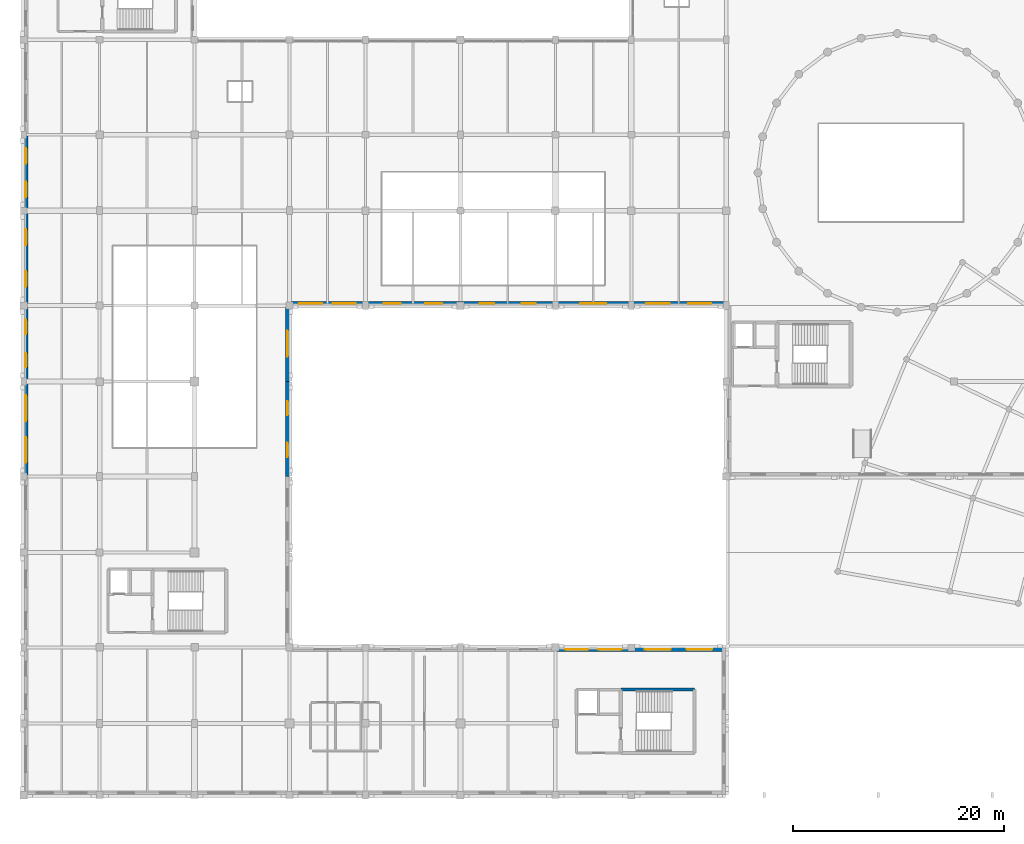
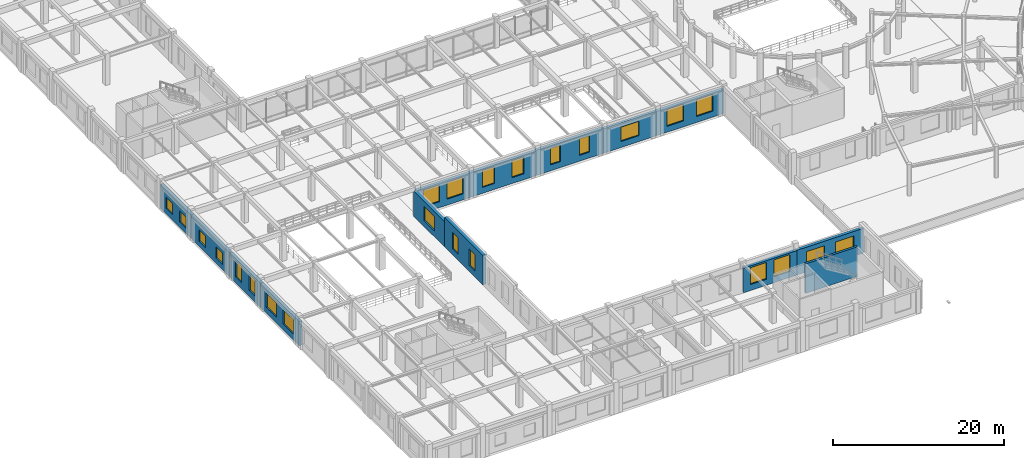
# One storey, part 38 of 62: 24 windows, 14 walls, 24 openings.
"""IFC4 building model written with IfcOpenShell, lengths in metres."""

from ifc_helpers import new_model, si_unit, direction, frame, frame_2d, origin, place, context, subcontext, project, spatial, rectangle, extrude, material, layer, layer_set, type_object, element, fill, save


model = new_model("IFC4")

# Units and contexts
model_context = context("Model", 3, precision=1e-05, world=origin(), true_north=direction((0.0, 1.0)))
body_context = subcontext(model_context, "Body", "Model", "MODEL_VIEW")
ifc_project = project(units=[si_unit("LENGTHUNIT", "METRE"), si_unit("AREAUNIT", "SQUARE_METRE"), si_unit("VOLUMEUNIT", "CUBIC_METRE"), si_unit("PLANEANGLEUNIT", "RADIAN"), si_unit("MASSUNIT", "GRAM", prefix="KILO")], contexts=[model_context])

# Site, building, storey
site_placement = place(None, origin())
site = spatial("IfcSite", under=ifc_project, at=site_placement, CompositionType="ELEMENT")
building_placement = place(site_placement, origin())
building = spatial("IfcBuilding", under=site, at=building_placement, Name="Clarverna Civic Hall", CompositionType="ELEMENT")
storey_placement = place(building_placement, frame((0.0, 0.0, 5.10009765625)))
storey = spatial("IfcBuildingStorey", under=building, at=storey_placement, Name="L01", CompositionType="ELEMENT", Elevation=5.10009765625)

# Wall, openings, windows
ifc_material_1 = material(Name="Montjuic Limestone Ashlar Cladding", Category="masonry")
ifc_layer_1 = layer(ifc_material_1, 0.39990234375)
ifc_layer_set_1 = layer_set([ifc_layer_1], Name="Montjuic Limestone Ashlar Cladding")
wall_type_1 = type_object("IfcWallType", Name="EW-02", PredefinedType="SOLIDWALL", material=ifc_layer_set_1)
wall_1_placement = place(storey_placement, frame((0.199951171875, 30.199951171875, 0.0), z_axis=(0.0, 0.0, 1.0), x_axis=(0.0, 1.0, 0.0)))
wall_1 = element("IfcWall", 1, at=wall_1_placement, inside=storey, type_object=wall_type_1, Name="EW-02-005", PredefinedType="SOLIDWALL", context=body_context, shape_type="SweptSolid", body=[
    extrude(rectangle(XDim=9.0, YDim=0.39990234375, at=frame_2d((4.5, 0.0))), origin(), (0.0, 0.0, 1.0), 3.469970703125),
])
opening_1_placement = place(wall_1_placement, frame((1.294921875, 0.0, 0.85009765625)))
opening_1 = element("IfcOpeningElement", 2, at=opening_1_placement, cuts=wall_1, Name="Opening WN-24", PredefinedType="OPENING", context=body_context, shape_type="SweptSolid", body=[
    extrude(rectangle(XDim=2.449951171875, YDim=2.050048828125, at=frame_2d((1.22509765625, 1.02490234375))), frame((0.0, 0.2099609375, 0.0), z_axis=(0.0, -1.0, 0.0), x_axis=(1.0, 0.0, 0.0)), (0.0, 0.0, 1.0), 0.419921875),
])
opening_2_placement = place(wall_1_placement, frame((5.2548828125, 0.0, 0.85009765625)))
opening_2 = element("IfcOpeningElement", 3, at=opening_2_placement, cuts=wall_1, Name="Opening WN-24", PredefinedType="OPENING", context=body_context, shape_type="SweptSolid", body=[
    extrude(rectangle(XDim=2.449951171875, YDim=2.050048828125, at=frame_2d((1.22509765625, 1.02490234375))), frame((0.0, 0.2099609375, 0.0), z_axis=(0.0, -1.0, 0.0), x_axis=(1.0, 0.0, 0.0)), (0.0, 0.0, 1.0), 0.419921875),
])
ifc_material_2 = material(Name="Solar-Control Argon Low-E Double Glazing", Category="glass")
window_type_1 = type_object("IfcWindowType", Name="WN-24", PartitioningType="TRIPLE_PANEL_VERTICAL", PredefinedType="WINDOW", material=ifc_material_2)
window_1_placement = place(opening_1_placement, origin())
window_1 = element("IfcWindow", 4, at=window_1_placement, inside=storey, type_object=window_type_1, Name="WN-24-002", OverallHeight=2.050048828125, OverallWidth=2.449951171875, PartitioningType="TRIPLE_PANEL_VERTICAL", PredefinedType="WINDOW", context=body_context, shape_type="SweptSolid", body=[
    extrude(rectangle(XDim=2.449951171875, YDim=2.050048828125, at=frame_2d((1.22509765625, 1.02490234375))), frame((0.0, 0.030029296875, 0.0), z_axis=(0.0, -1.0, 0.0), x_axis=(1.0, 0.0, 0.0)), (0.0, 0.0, 1.0), 0.06005859375),
])
fill(opening_1, window_1)
window_2_placement = place(opening_2_placement, origin())
window_2 = element("IfcWindow", 5, at=window_2_placement, inside=storey, type_object=window_type_1, Name="WN-24-003", OverallHeight=2.050048828125, OverallWidth=2.449951171875, PartitioningType="TRIPLE_PANEL_VERTICAL", PredefinedType="WINDOW", context=body_context, shape_type="SweptSolid", body=[
    extrude(rectangle(XDim=2.449951171875, YDim=2.050048828125, at=frame_2d((1.22509765625, 1.02490234375))), frame((0.0, 0.030029296875, 0.0), z_axis=(0.0, -1.0, 0.0), x_axis=(1.0, 0.0, 0.0)), (0.0, 0.0, 1.0), 0.06005859375),
])
fill(opening_2, window_2)

wall_2_placement = place(storey_placement, frame((0.199951171875, 39.199951171875, 0.0), z_axis=(0.0, 0.0, 1.0), x_axis=(0.0, 1.0, 0.0)))
wall_2 = element("IfcWall", 6, at=wall_2_placement, inside=storey, type_object=wall_type_1, Name="EW-02-006", PredefinedType="SOLIDWALL", context=body_context, shape_type="SweptSolid", body=[
    extrude(rectangle(XDim=7.199951171875, YDim=0.39990234375, at=frame_2d((3.60009765625, 0.0))), origin(), (0.0, 0.0, 1.0), 3.469970703125),
])
opening_3_placement = place(wall_2_placement, frame((1.341064453125, 0.0, 0.85009765625)))
opening_3 = element("IfcOpeningElement", 7, at=opening_3_placement, cuts=wall_2, Name="Opening WN-29", PredefinedType="OPENING", context=body_context, shape_type="SweptSolid", body=[
    extrude(rectangle(XDim=1.35009765625, YDim=2.35009765625, at=frame_2d((0.675048828125, 1.175048828125))), frame((0.0, 0.2099609375, 0.0), z_axis=(0.0, -1.0, 0.0), x_axis=(1.0, 0.0, 0.0)), (0.0, 0.0, 1.0), 0.419921875),
])
opening_4_placement = place(wall_2_placement, frame((4.509033203125, 0.0, 0.85009765625)))
opening_4 = element("IfcOpeningElement", 8, at=opening_4_placement, cuts=wall_2, Name="Opening WN-29", PredefinedType="OPENING", context=body_context, shape_type="SweptSolid", body=[
    extrude(rectangle(XDim=1.35009765625, YDim=2.35009765625, at=frame_2d((0.675048828125, 1.175048828125))), frame((0.0, 0.2099609375, 0.0), z_axis=(0.0, -1.0, 0.0), x_axis=(1.0, 0.0, 0.0)), (0.0, 0.0, 1.0), 0.419921875),
])
window_type_2 = type_object("IfcWindowType", Name="WN-29", PartitioningType="SINGLE_PANEL", PredefinedType="WINDOW", material=ifc_material_2)
window_3_placement = place(opening_3_placement, origin())
window_3 = element("IfcWindow", 9, at=window_3_placement, inside=storey, type_object=window_type_2, Name="WN-29-003", OverallHeight=2.35009765625, OverallWidth=1.35009765625, PartitioningType="SINGLE_PANEL", PredefinedType="WINDOW", context=body_context, shape_type="SweptSolid", body=[
    extrude(rectangle(XDim=1.35009765625, YDim=2.35009765625, at=frame_2d((0.675048828125, 1.175048828125))), frame((0.0, 0.030029296875, 0.0), z_axis=(0.0, -1.0, 0.0), x_axis=(1.0, 0.0, 0.0)), (0.0, 0.0, 1.0), 0.06005859375),
])
fill(opening_3, window_3)
window_4_placement = place(opening_4_placement, origin())
window_4 = element("IfcWindow", 10, at=window_4_placement, inside=storey, type_object=window_type_2, Name="WN-29-004", OverallHeight=2.35009765625, OverallWidth=1.35009765625, PartitioningType="SINGLE_PANEL", PredefinedType="WINDOW", context=body_context, shape_type="SweptSolid", body=[
    extrude(rectangle(XDim=1.35009765625, YDim=2.35009765625, at=frame_2d((0.675048828125, 1.175048828125))), frame((0.0, 0.030029296875, 0.0), z_axis=(0.0, -1.0, 0.0), x_axis=(1.0, 0.0, 0.0)), (0.0, 0.0, 1.0), 0.06005859375),
])
fill(opening_4, window_4)

wall_3_placement = place(storey_placement, frame((0.199951171875, 46.39990234375, 0.0), z_axis=(0.0, 0.0, 1.0), x_axis=(0.0, 1.0, 0.0)))
wall_3 = element("IfcWall", 11, at=wall_3_placement, inside=storey, type_object=wall_type_1, Name="EW-02-007", PredefinedType="SOLIDWALL", context=body_context, shape_type="SweptSolid", body=[
    extrude(rectangle(XDim=9.0, YDim=0.39990234375, at=frame_2d((4.5, 0.0))), origin(), (0.0, 0.0, 1.0), 3.419921875),
])
opening_5_placement = place(wall_3_placement, frame((1.77001953125, 0.0, 0.75)))
opening_5 = element("IfcOpeningElement", 12, at=opening_5_placement, cuts=wall_3, Name="Opening WN-14", PredefinedType="OPENING", context=body_context, shape_type="SweptSolid", body=[
    extrude(rectangle(XDim=1.5, YDim=1.60009765625, at=frame_2d((0.75, 0.800048828125))), frame((0.0, 0.2099609375, 0.0), z_axis=(0.0, -1.0, 0.0), x_axis=(1.0, 0.0, 0.0)), (0.0, 0.0, 1.0), 0.419921875),
])
opening_6_placement = place(wall_3_placement, frame((5.72998046875, 0.0, 0.75)))
opening_6 = element("IfcOpeningElement", 13, at=opening_6_placement, cuts=wall_3, Name="Opening WN-14", PredefinedType="OPENING", context=body_context, shape_type="SweptSolid", body=[
    extrude(rectangle(XDim=1.5, YDim=1.60009765625, at=frame_2d((0.75, 0.800048828125))), frame((0.0, 0.2099609375, 0.0), z_axis=(0.0, -1.0, 0.0), x_axis=(1.0, 0.0, 0.0)), (0.0, 0.0, 1.0), 0.419921875),
])
window_type_3 = type_object("IfcWindowType", Name="WN-14", PartitioningType="DOUBLE_PANEL_HORIZONTAL", PredefinedType="WINDOW", material=ifc_material_2)
window_5_placement = place(opening_5_placement, origin())
window_5 = element("IfcWindow", 14, at=window_5_placement, inside=storey, type_object=window_type_3, Name="WN-14-001", OverallHeight=1.60009765625, OverallWidth=1.5, PartitioningType="DOUBLE_PANEL_HORIZONTAL", PredefinedType="WINDOW", context=body_context, shape_type="SweptSolid", body=[
    extrude(rectangle(XDim=1.5, YDim=1.60009765625, at=frame_2d((0.75, 0.800048828125))), frame((0.0, 0.030029296875, 0.0), z_axis=(0.0, -1.0, 0.0), x_axis=(1.0, 0.0, 0.0)), (0.0, 0.0, 1.0), 0.06005859375),
])
fill(opening_5, window_5)
window_6_placement = place(opening_6_placement, origin())
window_6 = element("IfcWindow", 15, at=window_6_placement, inside=storey, type_object=window_type_3, Name="WN-14-002", OverallHeight=1.60009765625, OverallWidth=1.5, PartitioningType="DOUBLE_PANEL_HORIZONTAL", PredefinedType="WINDOW", context=body_context, shape_type="SweptSolid", body=[
    extrude(rectangle(XDim=1.5, YDim=1.60009765625, at=frame_2d((0.75, 0.800048828125))), frame((0.0, 0.030029296875, 0.0), z_axis=(0.0, -1.0, 0.0), x_axis=(1.0, 0.0, 0.0)), (0.0, 0.0, 1.0), 0.06005859375),
])
fill(opening_6, window_6)

wall_4_placement = place(storey_placement, frame((0.199951171875, 55.39990234375, 0.0), z_axis=(0.0, 0.0, 1.0), x_axis=(0.0, 1.0, 0.0)))
wall_4 = element("IfcWall", 16, at=wall_4_placement, inside=storey, type_object=wall_type_1, Name="EW-02-008", PredefinedType="SOLIDWALL", context=body_context, shape_type="SweptSolid", body=[
    extrude(rectangle(XDim=7.2001953125, YDim=0.39990234375, at=frame_2d((3.60009765625, 0.0))), origin(), (0.0, 0.0, 1.0), 3.419921875),
])
opening_7_placement = place(wall_4_placement, frame((1.26611328125, 0.0, 0.75)))
opening_7 = element("IfcOpeningElement", 17, at=opening_7_placement, cuts=wall_4, Name="Opening WN-14", PredefinedType="OPENING", context=body_context, shape_type="SweptSolid", body=[
    extrude(rectangle(XDim=1.5, YDim=1.60009765625, at=frame_2d((0.75, 0.800048828125))), frame((0.0, 0.2099609375, 0.0), z_axis=(0.0, -1.0, 0.0), x_axis=(1.0, 0.0, 0.0)), (0.0, 0.0, 1.0), 0.419921875),
])
opening_8_placement = place(wall_4_placement, frame((4.43408203125, 0.0, 0.75)))
opening_8 = element("IfcOpeningElement", 18, at=opening_8_placement, cuts=wall_4, Name="Opening WN-14", PredefinedType="OPENING", context=body_context, shape_type="SweptSolid", body=[
    extrude(rectangle(XDim=1.5, YDim=1.60009765625, at=frame_2d((0.75, 0.800048828125))), frame((0.0, 0.2099609375, 0.0), z_axis=(0.0, -1.0, 0.0), x_axis=(1.0, 0.0, 0.0)), (0.0, 0.0, 1.0), 0.419921875),
])
window_7_placement = place(opening_7_placement, origin())
window_7 = element("IfcWindow", 19, at=window_7_placement, inside=storey, type_object=window_type_3, Name="WN-14-003", OverallHeight=1.60009765625, OverallWidth=1.5, PartitioningType="DOUBLE_PANEL_HORIZONTAL", PredefinedType="WINDOW", context=body_context, shape_type="SweptSolid", body=[
    extrude(rectangle(XDim=1.5, YDim=1.60009765625, at=frame_2d((0.75, 0.800048828125))), frame((0.0, 0.030029296875, 0.0), z_axis=(0.0, -1.0, 0.0), x_axis=(1.0, 0.0, 0.0)), (0.0, 0.0, 1.0), 0.06005859375),
])
fill(opening_7, window_7)
window_8_placement = place(opening_8_placement, origin())
window_8 = element("IfcWindow", 20, at=window_8_placement, inside=storey, type_object=window_type_3, Name="WN-14-004", OverallHeight=1.60009765625, OverallWidth=1.5, PartitioningType="DOUBLE_PANEL_HORIZONTAL", PredefinedType="WINDOW", context=body_context, shape_type="SweptSolid", body=[
    extrude(rectangle(XDim=1.5, YDim=1.60009765625, at=frame_2d((0.75, 0.800048828125))), frame((0.0, 0.030029296875, 0.0), z_axis=(0.0, -1.0, 0.0), x_axis=(1.0, 0.0, 0.0)), (0.0, 0.0, 1.0), 0.06005859375),
])
fill(opening_8, window_8)

wall_5_placement = place(storey_placement, frame((66.625, 46.60009765625, 0.0), z_axis=(0.0, 0.0, 1.0), x_axis=(-1.0, 0.0, 0.0)))
wall_5 = element("IfcWall", 21, at=wall_5_placement, inside=storey, type_object=wall_type_1, Name="EW-02-060", PredefinedType="SOLIDWALL", context=body_context, shape_type="SweptSolid", body=[
    extrude(rectangle(XDim=9.02490234375, YDim=0.39990234375, at=frame_2d((4.512451171875, 0.0))), origin(), (0.0, 0.0, 1.0), 3.4599609375),
])
opening_9_placement = place(wall_5_placement, frame((1.427001953125, 0.0, 0.85009765625)))
opening_9 = element("IfcOpeningElement", 22, at=opening_9_placement, cuts=wall_5, Name="Opening WN-04", PredefinedType="OPENING", context=body_context, shape_type="SweptSolid", body=[
    extrude(rectangle(XDim=2.199951171875, YDim=2.39990234375, at=frame_2d((1.10009765625, 1.199951171875))), frame((0.0, 0.2099609375, 0.0), z_axis=(0.0, -1.0, 0.0), x_axis=(1.0, 0.0, 0.0)), (0.0, 0.0, 1.0), 0.419921875),
])
opening_10_placement = place(wall_5_placement, frame((5.39794921875, 0.0, 0.85009765625)))
opening_10 = element("IfcOpeningElement", 23, at=opening_10_placement, cuts=wall_5, Name="Opening WN-04", PredefinedType="OPENING", context=body_context, shape_type="SweptSolid", body=[
    extrude(rectangle(XDim=2.199951171875, YDim=2.39990234375, at=frame_2d((1.10009765625, 1.199951171875))), frame((0.0, 0.2099609375, 0.0), z_axis=(0.0, -1.0, 0.0), x_axis=(1.0, 0.0, 0.0)), (0.0, 0.0, 1.0), 0.419921875),
])
window_type_4 = type_object("IfcWindowType", Name="WN-04", PartitioningType="DOUBLE_PANEL_VERTICAL", PredefinedType="WINDOW", material=ifc_material_2)
window_9_placement = place(opening_9_placement, origin())
window_9 = element("IfcWindow", 24, at=window_9_placement, inside=storey, type_object=window_type_4, Name="WN-04-017", OverallHeight=2.39990234375, OverallWidth=2.199951171875, PartitioningType="DOUBLE_PANEL_VERTICAL", PredefinedType="WINDOW", context=body_context, shape_type="SweptSolid", body=[
    extrude(rectangle(XDim=2.199951171875, YDim=2.39990234375, at=frame_2d((1.10009765625, 1.199951171875))), frame((0.0, 0.030029296875, 0.0), z_axis=(0.0, -1.0, 0.0), x_axis=(1.0, 0.0, 0.0)), (0.0, 0.0, 1.0), 0.06005859375),
])
fill(opening_9, window_9)
window_10_placement = place(opening_10_placement, origin())
window_10 = element("IfcWindow", 25, at=window_10_placement, inside=storey, type_object=window_type_4, Name="WN-04-018", OverallHeight=2.39990234375, OverallWidth=2.199951171875, PartitioningType="DOUBLE_PANEL_VERTICAL", PredefinedType="WINDOW", context=body_context, shape_type="SweptSolid", body=[
    extrude(rectangle(XDim=2.199951171875, YDim=2.39990234375, at=frame_2d((1.10009765625, 1.199951171875))), frame((0.0, 0.030029296875, 0.0), z_axis=(0.0, -1.0, 0.0), x_axis=(1.0, 0.0, 0.0)), (0.0, 0.0, 1.0), 0.06005859375),
])
fill(opening_10, window_10)

# Wall, opening, window
wall_6_placement = place(storey_placement, frame((57.60009765625, 46.60009765625, 0.0), z_axis=(0.0, 0.0, 1.0), x_axis=(-1.0, 0.0, 0.0)))
wall_6 = element("IfcWall", 26, at=wall_6_placement, inside=storey, type_object=wall_type_1, Name="EW-02-061", PredefinedType="SOLIDWALL", context=body_context, shape_type="SweptSolid", body=[
    extrude(rectangle(XDim=7.2001953125, YDim=0.39990234375, at=frame_2d((3.60009765625, 0.0))), origin(), (0.0, 0.0, 1.0), 3.4599609375),
])
opening_11_placement = place(wall_6_placement, frame((2.375, 0.0, 0.85009765625)))
opening_11 = element("IfcOpeningElement", 27, at=opening_11_placement, cuts=wall_6, Name="Opening WN-24", PredefinedType="OPENING", context=body_context, shape_type="SweptSolid", body=[
    extrude(rectangle(XDim=2.449951171875, YDim=2.050048828125, at=frame_2d((1.22509765625, 1.02490234375))), frame((0.0, 0.2099609375, 0.0), z_axis=(0.0, -1.0, 0.0), x_axis=(1.0, 0.0, 0.0)), (0.0, 0.0, 1.0), 0.419921875),
])
window_11_placement = place(opening_11_placement, origin())
window_11 = element("IfcWindow", 28, at=window_11_placement, inside=storey, type_object=window_type_1, Name="WN-24-025", OverallHeight=2.050048828125, OverallWidth=2.449951171875, PartitioningType="TRIPLE_PANEL_VERTICAL", PredefinedType="WINDOW", context=body_context, shape_type="SweptSolid", body=[
    extrude(rectangle(XDim=2.449951171875, YDim=2.050048828125, at=frame_2d((1.22509765625, 1.02490234375))), frame((0.0, 0.030029296875, 0.0), z_axis=(0.0, -1.0, 0.0), x_axis=(1.0, 0.0, 0.0)), (0.0, 0.0, 1.0), 0.06005859375),
])
fill(opening_11, window_11)

# Wall, openings, windows
wall_7_placement = place(storey_placement, frame((50.39990234375, 46.60009765625, 0.0), z_axis=(0.0, 0.0, 1.0), x_axis=(-1.0, 0.0, 0.0)))
wall_7 = element("IfcWall", 29, at=wall_7_placement, inside=storey, type_object=wall_type_1, Name="EW-02-062", PredefinedType="SOLIDWALL", context=body_context, shape_type="SweptSolid", body=[
    extrude(rectangle(XDim=9.0, YDim=0.39990234375, at=frame_2d((4.5, 0.0))), origin(), (0.0, 0.0, 1.0), 3.579833984375),
])
opening_12_placement = place(wall_7_placement, frame((1.844970703125, 0.0, 0.85009765625)))
opening_12 = element("IfcOpeningElement", 30, at=opening_12_placement, cuts=wall_7, Name="Opening WN-29", PredefinedType="OPENING", context=body_context, shape_type="SweptSolid", body=[
    extrude(rectangle(XDim=1.35009765625, YDim=2.35009765625, at=frame_2d((0.675048828125, 1.175048828125))), frame((0.0, 0.2099609375, 0.0), z_axis=(0.0, -1.0, 0.0), x_axis=(1.0, 0.0, 0.0)), (0.0, 0.0, 1.0), 0.419921875),
])
opening_13_placement = place(wall_7_placement, frame((5.804931640625, 0.0, 0.85009765625)))
opening_13 = element("IfcOpeningElement", 31, at=opening_13_placement, cuts=wall_7, Name="Opening WN-29", PredefinedType="OPENING", context=body_context, shape_type="SweptSolid", body=[
    extrude(rectangle(XDim=1.35009765625, YDim=2.35009765625, at=frame_2d((0.675048828125, 1.175048828125))), frame((0.0, 0.2099609375, 0.0), z_axis=(0.0, -1.0, 0.0), x_axis=(1.0, 0.0, 0.0)), (0.0, 0.0, 1.0), 0.419921875),
])
window_12_placement = place(opening_12_placement, origin())
window_12 = element("IfcWindow", 32, at=window_12_placement, inside=storey, type_object=window_type_2, Name="WN-29-026", OverallHeight=2.35009765625, OverallWidth=1.35009765625, PartitioningType="SINGLE_PANEL", PredefinedType="WINDOW", context=body_context, shape_type="SweptSolid", body=[
    extrude(rectangle(XDim=1.35009765625, YDim=2.35009765625, at=frame_2d((0.675048828125, 1.175048828125))), frame((0.0, 0.030029296875, 0.0), z_axis=(0.0, -1.0, 0.0), x_axis=(1.0, 0.0, 0.0)), (0.0, 0.0, 1.0), 0.06005859375),
])
fill(opening_12, window_12)
window_13_placement = place(opening_13_placement, origin())
window_13 = element("IfcWindow", 33, at=window_13_placement, inside=storey, type_object=window_type_2, Name="WN-29-027", OverallHeight=2.35009765625, OverallWidth=1.35009765625, PartitioningType="SINGLE_PANEL", PredefinedType="WINDOW", context=body_context, shape_type="SweptSolid", body=[
    extrude(rectangle(XDim=1.35009765625, YDim=2.35009765625, at=frame_2d((0.675048828125, 1.175048828125))), frame((0.0, 0.030029296875, 0.0), z_axis=(0.0, -1.0, 0.0), x_axis=(1.0, 0.0, 0.0)), (0.0, 0.0, 1.0), 0.06005859375),
])
fill(opening_13, window_13)

wall_8_placement = place(storey_placement, frame((41.39990234375, 46.60009765625, 0.0), z_axis=(0.0, 0.0, 1.0), x_axis=(-1.0, 0.0, 0.0)))
wall_8 = element("IfcWall", 34, at=wall_8_placement, inside=storey, type_object=wall_type_1, Name="EW-02-063", PredefinedType="SOLIDWALL", context=body_context, shape_type="SweptSolid", body=[
    extrude(rectangle(XDim=9.0, YDim=0.39990234375, at=frame_2d((4.5, 0.0))), origin(), (0.0, 0.0, 1.0), 3.5),
])
opening_14_placement = place(wall_8_placement, frame((1.719970703125, 0.0, 0.85009765625)))
opening_14 = element("IfcOpeningElement", 35, at=opening_14_placement, cuts=wall_8, Name="Opening WN-03", PredefinedType="OPENING", context=body_context, shape_type="SweptSolid", body=[
    extrude(rectangle(XDim=1.60009765625, YDim=2.39990234375, at=frame_2d((0.800048828125, 1.199951171875))), frame((0.0, 0.2099609375, 0.0), z_axis=(0.0, -1.0, 0.0), x_axis=(1.0, 0.0, 0.0)), (0.0, 0.0, 1.0), 0.419921875),
])
opening_15_placement = place(wall_8_placement, frame((5.679931640625, 0.0, 0.85009765625)))
opening_15 = element("IfcOpeningElement", 36, at=opening_15_placement, cuts=wall_8, Name="Opening WN-03", PredefinedType="OPENING", context=body_context, shape_type="SweptSolid", body=[
    extrude(rectangle(XDim=1.60009765625, YDim=2.39990234375, at=frame_2d((0.800048828125, 1.199951171875))), frame((0.0, 0.2099609375, 0.0), z_axis=(0.0, -1.0, 0.0), x_axis=(1.0, 0.0, 0.0)), (0.0, 0.0, 1.0), 0.419921875),
])
window_type_5 = type_object("IfcWindowType", Name="WN-03", PartitioningType="DOUBLE_PANEL_VERTICAL", PredefinedType="WINDOW", material=ifc_material_2)
window_14_placement = place(opening_14_placement, origin())
window_14 = element("IfcWindow", 37, at=window_14_placement, inside=storey, type_object=window_type_5, Name="WN-03-021", OverallHeight=2.39990234375, OverallWidth=1.60009765625, PartitioningType="DOUBLE_PANEL_VERTICAL", PredefinedType="WINDOW", context=body_context, shape_type="SweptSolid", body=[
    extrude(rectangle(XDim=1.60009765625, YDim=2.39990234375, at=frame_2d((0.800048828125, 1.199951171875))), frame((0.0, 0.030029296875, 0.0), z_axis=(0.0, -1.0, 0.0), x_axis=(1.0, 0.0, 0.0)), (0.0, 0.0, 1.0), 0.06005859375),
])
fill(opening_14, window_14)
window_15_placement = place(opening_15_placement, origin())
window_15 = element("IfcWindow", 38, at=window_15_placement, inside=storey, type_object=window_type_5, Name="WN-03-022", OverallHeight=2.39990234375, OverallWidth=1.60009765625, PartitioningType="DOUBLE_PANEL_VERTICAL", PredefinedType="WINDOW", context=body_context, shape_type="SweptSolid", body=[
    extrude(rectangle(XDim=1.60009765625, YDim=2.39990234375, at=frame_2d((0.800048828125, 1.199951171875))), frame((0.0, 0.030029296875, 0.0), z_axis=(0.0, -1.0, 0.0), x_axis=(1.0, 0.0, 0.0)), (0.0, 0.0, 1.0), 0.06005859375),
])
fill(opening_15, window_15)

wall_9_placement = place(storey_placement, frame((32.39990234375, 46.60009765625, 0.0), z_axis=(0.0, 0.0, 1.0), x_axis=(-1.0, 0.0, 0.0)))
wall_9 = element("IfcWall", 39, at=wall_9_placement, inside=storey, type_object=wall_type_1, Name="EW-02-064", PredefinedType="SOLIDWALL", context=body_context, shape_type="SweptSolid", body=[
    extrude(rectangle(XDim=7.199951171875, YDim=0.39990234375, at=frame_2d((3.60009765625, 0.0))), origin(), (0.0, 0.0, 1.0), 3.5),
])
opening_16_placement = place(wall_9_placement, frame((0.916015625, 0.0, 0.85009765625)))
opening_16 = element("IfcOpeningElement", 40, at=opening_16_placement, cuts=wall_9, Name="Opening WN-04", PredefinedType="OPENING", context=body_context, shape_type="SweptSolid", body=[
    extrude(rectangle(XDim=2.199951171875, YDim=2.39990234375, at=frame_2d((1.10009765625, 1.199951171875))), frame((0.0, 0.2099609375, 0.0), z_axis=(0.0, -1.0, 0.0), x_axis=(1.0, 0.0, 0.0)), (0.0, 0.0, 1.0), 0.419921875),
])
opening_17_placement = place(wall_9_placement, frame((4.083984375, 0.0, 0.85009765625)))
opening_17 = element("IfcOpeningElement", 41, at=opening_17_placement, cuts=wall_9, Name="Opening WN-04", PredefinedType="OPENING", context=body_context, shape_type="SweptSolid", body=[
    extrude(rectangle(XDim=2.199951171875, YDim=2.39990234375, at=frame_2d((1.10009765625, 1.199951171875))), frame((0.0, 0.2099609375, 0.0), z_axis=(0.0, -1.0, 0.0), x_axis=(1.0, 0.0, 0.0)), (0.0, 0.0, 1.0), 0.419921875),
])
window_16_placement = place(opening_16_placement, origin())
window_16 = element("IfcWindow", 42, at=window_16_placement, inside=storey, type_object=window_type_4, Name="WN-04-019", OverallHeight=2.39990234375, OverallWidth=2.199951171875, PartitioningType="DOUBLE_PANEL_VERTICAL", PredefinedType="WINDOW", context=body_context, shape_type="SweptSolid", body=[
    extrude(rectangle(XDim=2.199951171875, YDim=2.39990234375, at=frame_2d((1.10009765625, 1.199951171875))), frame((0.0, 0.030029296875, 0.0), z_axis=(0.0, -1.0, 0.0), x_axis=(1.0, 0.0, 0.0)), (0.0, 0.0, 1.0), 0.06005859375),
])
fill(opening_16, window_16)
window_17_placement = place(opening_17_placement, origin())
window_17 = element("IfcWindow", 43, at=window_17_placement, inside=storey, type_object=window_type_4, Name="WN-04-020", OverallHeight=2.39990234375, OverallWidth=2.199951171875, PartitioningType="DOUBLE_PANEL_VERTICAL", PredefinedType="WINDOW", context=body_context, shape_type="SweptSolid", body=[
    extrude(rectangle(XDim=2.199951171875, YDim=2.39990234375, at=frame_2d((1.10009765625, 1.199951171875))), frame((0.0, 0.030029296875, 0.0), z_axis=(0.0, -1.0, 0.0), x_axis=(1.0, 0.0, 0.0)), (0.0, 0.0, 1.0), 0.06005859375),
])
fill(opening_17, window_17)

# Wall, opening, window
wall_10_placement = place(storey_placement, frame((25.0, 46.39990234375, 0.0), z_axis=(0.0, 0.0, 1.0), x_axis=(0.0, -1.0, 0.0)))
wall_10 = element("IfcWall", 44, at=wall_10_placement, inside=storey, type_object=wall_type_1, Name="EW-02-065", PredefinedType="SOLIDWALL", context=body_context, shape_type="SweptSolid", body=[
    extrude(rectangle(XDim=7.199951171875, YDim=0.39990234375, at=frame_2d((3.60009765625, 0.0))), origin(), (0.0, 0.0, 1.0), 3.619873046875),
])
opening_18_placement = place(wall_10_placement, frame((2.375, 0.0, 0.85009765625)))
opening_18 = element("IfcOpeningElement", 45, at=opening_18_placement, cuts=wall_10, Name="Opening WN-24", PredefinedType="OPENING", context=body_context, shape_type="SweptSolid", body=[
    extrude(rectangle(XDim=2.449951171875, YDim=2.050048828125, at=frame_2d((1.22509765625, 1.02490234375))), frame((0.0, 0.2099609375, 0.0), z_axis=(0.0, -1.0, 0.0), x_axis=(1.0, 0.0, 0.0)), (0.0, 0.0, 1.0), 0.419921875),
])
window_18_placement = place(opening_18_placement, origin())
window_18 = element("IfcWindow", 46, at=window_18_placement, inside=storey, type_object=window_type_1, Name="WN-24-026", OverallHeight=2.050048828125, OverallWidth=2.449951171875, PartitioningType="TRIPLE_PANEL_VERTICAL", PredefinedType="WINDOW", context=body_context, shape_type="SweptSolid", body=[
    extrude(rectangle(XDim=2.449951171875, YDim=2.050048828125, at=frame_2d((1.22509765625, 1.02490234375))), frame((0.0, 0.030029296875, 0.0), z_axis=(0.0, -1.0, 0.0), x_axis=(1.0, 0.0, 0.0)), (0.0, 0.0, 1.0), 0.06005859375),
])
fill(opening_18, window_18)

# Wall, openings, windows
wall_11_placement = place(storey_placement, frame((25.0, 39.199951171875, 0.0), z_axis=(0.0, 0.0, 1.0), x_axis=(0.0, -1.0, 0.0)))
wall_11 = element("IfcWall", 47, at=wall_11_placement, inside=storey, type_object=wall_type_1, Name="EW-02-066", PredefinedType="SOLIDWALL", context=body_context, shape_type="SweptSolid", body=[
    extrude(rectangle(XDim=9.0, YDim=0.39990234375, at=frame_2d((4.5, 0.0))), origin(), (0.0, 0.0, 1.0), 4.219970703125),
])
opening_19_placement = place(wall_11_placement, frame((1.844970703125, 0.0, 0.85009765625)))
opening_19 = element("IfcOpeningElement", 48, at=opening_19_placement, cuts=wall_11, Name="Opening WN-29", PredefinedType="OPENING", context=body_context, shape_type="SweptSolid", body=[
    extrude(rectangle(XDim=1.35009765625, YDim=2.35009765625, at=frame_2d((0.675048828125, 1.175048828125))), frame((0.0, 0.2099609375, 0.0), z_axis=(0.0, -1.0, 0.0), x_axis=(1.0, 0.0, 0.0)), (0.0, 0.0, 1.0), 0.419921875),
])
opening_20_placement = place(wall_11_placement, frame((5.804931640625, 0.0, 0.85009765625)))
opening_20 = element("IfcOpeningElement", 49, at=opening_20_placement, cuts=wall_11, Name="Opening WN-29", PredefinedType="OPENING", context=body_context, shape_type="SweptSolid", body=[
    extrude(rectangle(XDim=1.35009765625, YDim=2.35009765625, at=frame_2d((0.675048828125, 1.175048828125))), frame((0.0, 0.2099609375, 0.0), z_axis=(0.0, -1.0, 0.0), x_axis=(1.0, 0.0, 0.0)), (0.0, 0.0, 1.0), 0.419921875),
])
window_19_placement = place(opening_19_placement, origin())
window_19 = element("IfcWindow", 50, at=window_19_placement, inside=storey, type_object=window_type_2, Name="WN-29-028", OverallHeight=2.35009765625, OverallWidth=1.35009765625, PartitioningType="SINGLE_PANEL", PredefinedType="WINDOW", context=body_context, shape_type="SweptSolid", body=[
    extrude(rectangle(XDim=1.35009765625, YDim=2.35009765625, at=frame_2d((0.675048828125, 1.175048828125))), frame((0.0, 0.030029296875, 0.0), z_axis=(0.0, -1.0, 0.0), x_axis=(1.0, 0.0, 0.0)), (0.0, 0.0, 1.0), 0.06005859375),
])
fill(opening_19, window_19)
window_20_placement = place(opening_20_placement, origin())
window_20 = element("IfcWindow", 51, at=window_20_placement, inside=storey, type_object=window_type_2, Name="WN-29-029", OverallHeight=2.35009765625, OverallWidth=1.35009765625, PartitioningType="SINGLE_PANEL", PredefinedType="WINDOW", context=body_context, shape_type="SweptSolid", body=[
    extrude(rectangle(XDim=1.35009765625, YDim=2.35009765625, at=frame_2d((0.675048828125, 1.175048828125))), frame((0.0, 0.030029296875, 0.0), z_axis=(0.0, -1.0, 0.0), x_axis=(1.0, 0.0, 0.0)), (0.0, 0.0, 1.0), 0.06005859375),
])
fill(opening_20, window_20)

wall_12_placement = place(storey_placement, frame((50.39990234375, 13.800048828125, 0.0), z_axis=(0.0, 0.0, 1.0), x_axis=(1.0, 0.0, 0.0)))
wall_12 = element("IfcWall", 52, at=wall_12_placement, inside=storey, type_object=wall_type_1, Name="EW-02-072", PredefinedType="SOLIDWALL", context=body_context, shape_type="SweptSolid", body=[
    extrude(rectangle(XDim=7.2001953125, YDim=0.39990234375, at=frame_2d((3.60009765625, 0.0))), origin(), (0.0, 0.0, 1.0), 3.5),
])
opening_21_placement = place(wall_12_placement, frame((0.916015625, 0.0, 0.85009765625)))
opening_21 = element("IfcOpeningElement", 53, at=opening_21_placement, cuts=wall_12, Name="Opening WN-04", PredefinedType="OPENING", context=body_context, shape_type="SweptSolid", body=[
    extrude(rectangle(XDim=2.199951171875, YDim=2.39990234375, at=frame_2d((1.10009765625, 1.199951171875))), frame((0.0, 0.2099609375, 0.0), z_axis=(0.0, -1.0, 0.0), x_axis=(1.0, 0.0, 0.0)), (0.0, 0.0, 1.0), 0.419921875),
])
opening_22_placement = place(wall_12_placement, frame((4.083984375, 0.0, 0.85009765625)))
opening_22 = element("IfcOpeningElement", 54, at=opening_22_placement, cuts=wall_12, Name="Opening WN-04", PredefinedType="OPENING", context=body_context, shape_type="SweptSolid", body=[
    extrude(rectangle(XDim=2.199951171875, YDim=2.39990234375, at=frame_2d((1.10009765625, 1.199951171875))), frame((0.0, 0.2099609375, 0.0), z_axis=(0.0, -1.0, 0.0), x_axis=(1.0, 0.0, 0.0)), (0.0, 0.0, 1.0), 0.419921875),
])
window_21_placement = place(opening_21_placement, origin())
window_21 = element("IfcWindow", 55, at=window_21_placement, inside=storey, type_object=window_type_4, Name="WN-04-023", OverallHeight=2.39990234375, OverallWidth=2.199951171875, PartitioningType="DOUBLE_PANEL_VERTICAL", PredefinedType="WINDOW", context=body_context, shape_type="SweptSolid", body=[
    extrude(rectangle(XDim=2.199951171875, YDim=2.39990234375, at=frame_2d((1.10009765625, 1.199951171875))), frame((0.0, 0.030029296875, 0.0), z_axis=(0.0, -1.0, 0.0), x_axis=(1.0, 0.0, 0.0)), (0.0, 0.0, 1.0), 0.06005859375),
])
fill(opening_21, window_21)
window_22_placement = place(opening_22_placement, origin())
window_22 = element("IfcWindow", 56, at=window_22_placement, inside=storey, type_object=window_type_4, Name="WN-04-024", OverallHeight=2.39990234375, OverallWidth=2.199951171875, PartitioningType="DOUBLE_PANEL_VERTICAL", PredefinedType="WINDOW", context=body_context, shape_type="SweptSolid", body=[
    extrude(rectangle(XDim=2.199951171875, YDim=2.39990234375, at=frame_2d((1.10009765625, 1.199951171875))), frame((0.0, 0.030029296875, 0.0), z_axis=(0.0, -1.0, 0.0), x_axis=(1.0, 0.0, 0.0)), (0.0, 0.0, 1.0), 0.06005859375),
])
fill(opening_22, window_22)

wall_13_placement = place(storey_placement, frame((57.60009765625, 13.800048828125, 0.0), z_axis=(0.0, 0.0, 1.0), x_axis=(1.0, 0.0, 0.0)))
wall_13 = element("IfcWall", 57, at=wall_13_placement, inside=storey, type_object=wall_type_1, Name="EW-02-073", PredefinedType="SOLIDWALL", context=body_context, shape_type="SweptSolid", body=[
    extrude(rectangle(XDim=8.974853515625, YDim=0.39990234375, at=frame_2d((4.4873046875, 0.0))), origin(), (0.0, 0.0, 1.0), 3.539794921875),
])
opening_23_placement = place(wall_13_placement, frame((1.2880859375, 0.0, 0.85009765625)))
opening_23 = element("IfcOpeningElement", 58, at=opening_23_placement, cuts=wall_13, Name="Opening WN-24", PredefinedType="OPENING", context=body_context, shape_type="SweptSolid", body=[
    extrude(rectangle(XDim=2.449951171875, YDim=2.050048828125, at=frame_2d((1.22509765625, 1.02490234375))), frame((0.0, 0.2099609375, 0.0), z_axis=(0.0, -1.0, 0.0), x_axis=(1.0, 0.0, 0.0)), (0.0, 0.0, 1.0), 0.419921875),
])
opening_24_placement = place(wall_13_placement, frame((5.237060546875, 0.0, 0.85009765625)))
opening_24 = element("IfcOpeningElement", 59, at=opening_24_placement, cuts=wall_13, Name="Opening WN-24", PredefinedType="OPENING", context=body_context, shape_type="SweptSolid", body=[
    extrude(rectangle(XDim=2.449951171875, YDim=2.050048828125, at=frame_2d((1.22509765625, 1.02490234375))), frame((0.0, 0.2099609375, 0.0), z_axis=(0.0, -1.0, 0.0), x_axis=(1.0, 0.0, 0.0)), (0.0, 0.0, 1.0), 0.419921875),
])
window_23_placement = place(opening_23_placement, origin())
window_23 = element("IfcWindow", 60, at=window_23_placement, inside=storey, type_object=window_type_1, Name="WN-24-028", OverallHeight=2.050048828125, OverallWidth=2.449951171875, PartitioningType="TRIPLE_PANEL_VERTICAL", PredefinedType="WINDOW", context=body_context, shape_type="SweptSolid", body=[
    extrude(rectangle(XDim=2.449951171875, YDim=2.050048828125, at=frame_2d((1.22509765625, 1.02490234375))), frame((0.0, 0.030029296875, 0.0), z_axis=(0.0, -1.0, 0.0), x_axis=(1.0, 0.0, 0.0)), (0.0, 0.0, 1.0), 0.06005859375),
])
fill(opening_23, window_23)
window_24_placement = place(opening_24_placement, origin())
window_24 = element("IfcWindow", 61, at=window_24_placement, inside=storey, type_object=window_type_1, Name="WN-24-029", OverallHeight=2.050048828125, OverallWidth=2.449951171875, PartitioningType="TRIPLE_PANEL_VERTICAL", PredefinedType="WINDOW", context=body_context, shape_type="SweptSolid", body=[
    extrude(rectangle(XDim=2.449951171875, YDim=2.050048828125, at=frame_2d((1.22509765625, 1.02490234375))), frame((0.0, 0.030029296875, 0.0), z_axis=(0.0, -1.0, 0.0), x_axis=(1.0, 0.0, 0.0)), (0.0, 0.0, 1.0), 0.06005859375),
])
fill(opening_24, window_24)

# Wall
ifc_material_3 = material(Name="Concrete C35/45", Category="concrete")
ifc_layer_2 = layer(ifc_material_3, 0.300048828125)
ifc_layer_set_2 = layer_set([ifc_layer_2], Name="Concrete C35/45")
wall_type_2 = type_object("IfcWallType", Name="SW-03", PredefinedType="SHEAR", material=ifc_layer_set_2)
wall_14_placement = place(storey_placement, frame((56.60009765625, 10.0, 0.0), z_axis=(0.0, 0.0, 1.0), x_axis=(1.0, 0.0, 0.0)))
element("IfcWall", 62, at=wall_14_placement, inside=storey, type_object=wall_type_2, Name="SW-03-076", PredefinedType="SHEAR", context=body_context, shape_type="SweptSolid", body=[
    extrude(rectangle(XDim=7.0, YDim=0.300048828125, at=frame_2d((3.5, 0.0))), origin(), (0.0, 0.0, 1.0), 4.219970703125),
])

save(model, "model.ifc")
